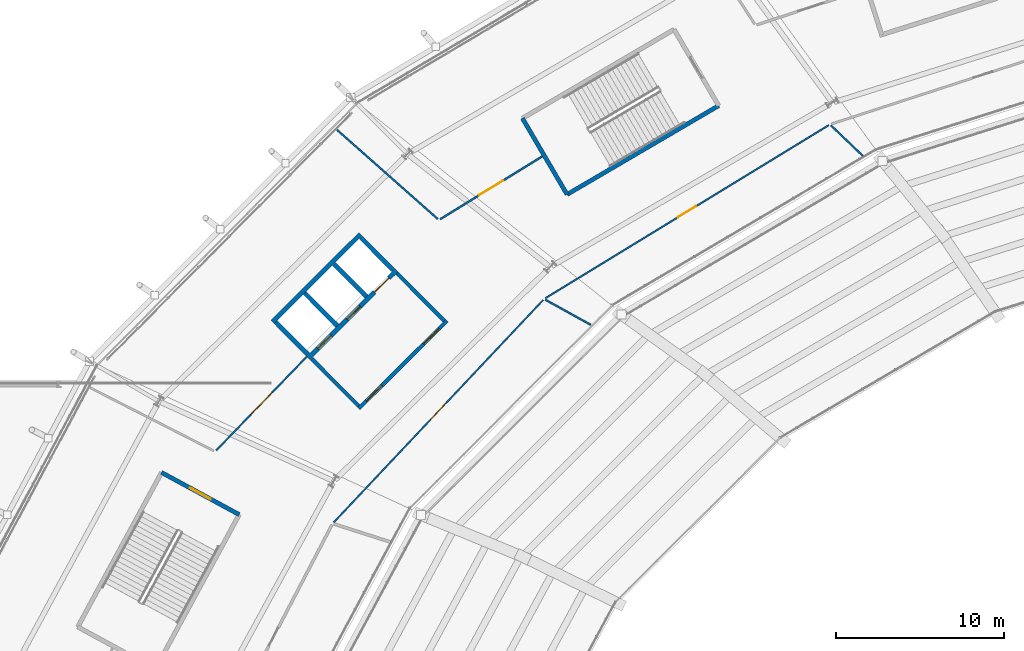
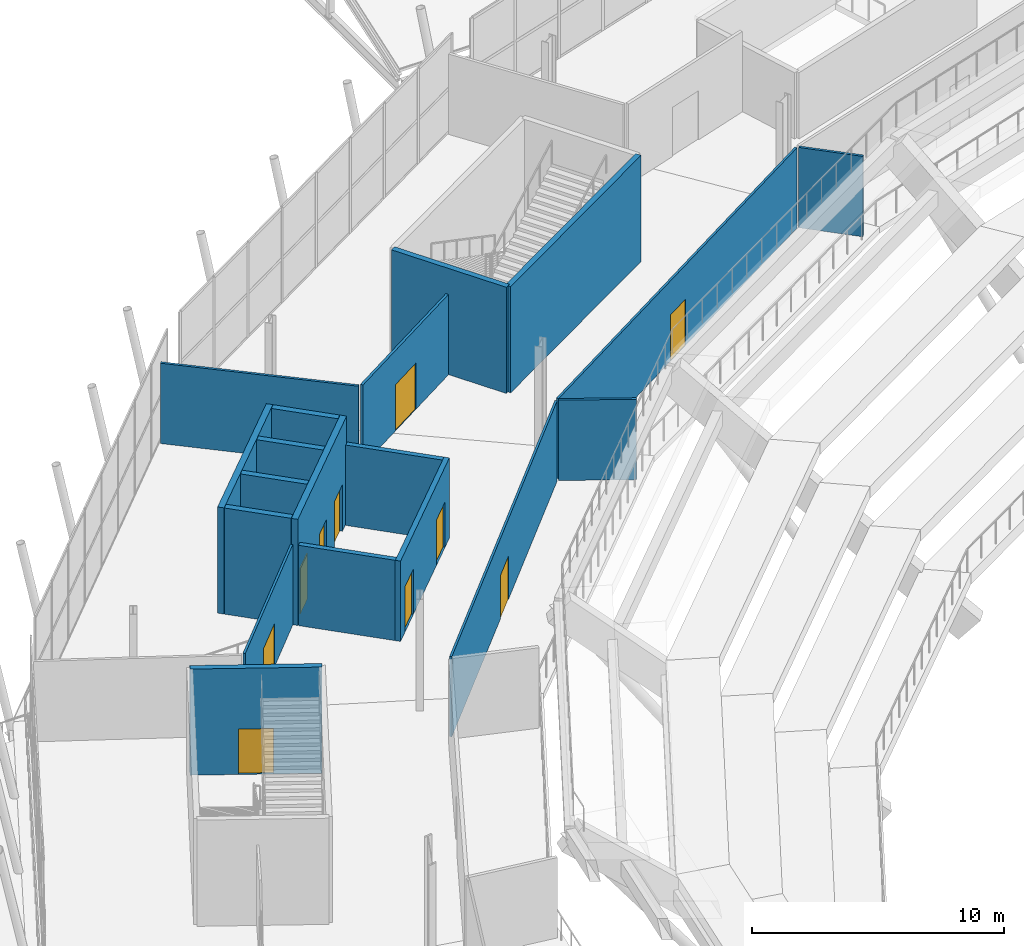
# One storey, part 98 of 126: 19 walls, 10 doors, 10 openings.
"""IFC4 building model written with IfcOpenShell, lengths in metres."""

from ifc_helpers import new_model, si_unit, direction, frame, frame_2d, origin, place, context, subcontext, project, spatial, rectangle, extrude, material, layer, layer_set, type_object, element, fill, save


model = new_model("IFC4")

# Units and contexts
model_context = context("Model", 3, precision=1e-05, world=origin(), true_north=direction((0.0, 1.0)))
body_context = subcontext(model_context, "Body", "Model", "MODEL_VIEW")
ifc_project = project(units=[si_unit("LENGTHUNIT", "METRE"), si_unit("AREAUNIT", "SQUARE_METRE"), si_unit("VOLUMEUNIT", "CUBIC_METRE"), si_unit("PLANEANGLEUNIT", "RADIAN"), si_unit("MASSUNIT", "GRAM", prefix="KILO")], contexts=[model_context])

# Site, building, storey
site_placement = place(None, origin())
site = spatial("IfcSite", under=ifc_project, at=site_placement, CompositionType="ELEMENT")
building_placement = place(site_placement, origin())
building = spatial("IfcBuilding", under=site, at=building_placement, Name="Zlatoyarsky Gate Stadium", CompositionType="ELEMENT")
storey_placement = place(building_placement, frame((0.0, 0.0, 20.800048828125)))
storey = spatial("IfcBuildingStorey", under=building, at=storey_placement, Name="L04", CompositionType="ELEMENT", Elevation=20.800048828125)

# Walls
ifc_material_1 = material(Name="Anodised aluminium acoustic operable wall", Category="aluminium")
ifc_layer_1 = layer(ifc_material_1, 0.114990234375)
ifc_layer_set_1 = layer_set([ifc_layer_1], Name="Anodised aluminium acoustic operable wall")
wall_type_1 = type_object("IfcWallType", Name="ACOUSTIC OPERABLE SUITE WALL 115", PredefinedType="MOVABLE", material=ifc_layer_set_1)
wall_1_placement = place(storey_placement, frame((56.140380859375, 120.048095703125, 0.0), z_axis=(0.0, 0.0, 1.0), x_axis=(-0.874909355374, 0.484286712474, 0.0)))
element("IfcWall", 1, at=wall_1_placement, inside=storey, type_object=wall_type_1, Name="L04 interior partition PRT-L04-IRD-09", PredefinedType="MOVABLE", context=body_context, shape_type="SweptSolid", body=[
    extrude(rectangle(XDim=3.0888671875, YDim=0.114990234375, at=frame_2d((1.54443359375, 0.0))), origin(), (0.0, 0.0, 1.0), 3.889892578125),
])
ifc_material_2 = material(Name="Concrete C40/50", Category="concrete")
ifc_layer_2 = layer(ifc_material_2, 0.27001953125)
ifc_layer_set_2 = layer_set([ifc_layer_2], Name="Concrete C40/50")
wall_type_2 = type_object("IfcWallType", Name="CONCRETE LIFT SHAFT SHEAR WALL 270", PredefinedType="SHEAR", material=ifc_layer_set_2)
wall_2_placement = place(storey_placement, frame((42.452880859375, 125.443603515625, 0.0), z_axis=(0.0, 0.0, 1.0), x_axis=(-0.708902567846, -0.705306422274, 0.0)))
element("IfcWall", 2, at=wall_2_placement, inside=storey, type_object=wall_type_2, Name="C2 L04 lift shaft rear wall", PredefinedType="SHEAR", context=body_context, shape_type="SweptSolid", body=[
    extrude(rectangle(XDim=7.39990234375, YDim=0.27001953125, at=frame_2d((3.699951171875, 0.0))), origin(), (0.0, 0.0, 1.0), 5.139892578125),
])
for number, where, z_axis, x_axis, name in (
    (3, (42.45947265625, 125.24560546875, 0.0), (0.0, 0.0, 1.0), (0.705322518225, -0.708886553183, 0.0), "C2 L04 lift shaft left wall"),
    (4, (37.405029296875, 120.216796875, 0.0), (0.0, 0.0, 1.0), (0.705322518225, -0.708886553183, 0.0), "C2 L04 lift shaft right wall"),
    (5, (40.87158203125, 123.665771484375, 0.0), (0.0, 0.0, 1.0), (0.705322518225, -0.708886553183, 0.0), "C2 L04 lift shaft divider 1"),
    (6, (39.134765625, 121.937744140625, 0.0), (0.0, 0.0, 1.0), (0.705322518225, -0.708886553183, 0.0), "C2 L04 lift shaft divider 2"),
):
    element("IfcWall", number, at=place(storey_placement, frame(where, z_axis=z_axis, x_axis=x_axis)), inside=storey, type_object=wall_type_2, Name=name, PredefinedType="SHEAR", context=body_context, shape_type="SweptSolid", body=[
        extrude(rectangle(XDim=2.739990234375, YDim=0.27001953125, at=frame_2d((1.3701171875, 0.0))), origin(), (0.0, 0.0, 1.0), 5.139892578125),
    ])

# Wall, openings, doors
wall_3_placement = place(storey_placement, frame((44.590087890625, 123.295654296875, 0.0), z_axis=(0.0, 0.0, 1.0), x_axis=(-0.708918979457, -0.705289926602, 0.0)))
wall_3 = element("IfcWall", 7, at=wall_3_placement, inside=storey, type_object=wall_type_2, Name="C2 L04 lift landing front wall", PredefinedType="SHEAR", context=body_context, shape_type="SweptSolid", body=[
    extrude(rectangle(XDim=7.400146484375, YDim=0.27001953125, at=frame_2d((3.7001953125, 0.0))), origin(), (0.0, 0.0, 1.0), 5.139892578125),
])
opening_1_placement = place(wall_3_placement, frame((0.64990234375, 0.0, 0.0)))
opening_1 = element("IfcOpeningElement", 8, at=opening_1_placement, cuts=wall_3, Name="Opening LD-FL-02-L04", PredefinedType="OPENING", context=body_context, shape_type="SweptSolid", body=[
    extrude(rectangle(XDim=1.199951171875, YDim=2.25, at=frame_2d((0.60009765625, 1.125))), frame((0.0, 0.14501953125, 0.0), z_axis=(0.0, -1.0, 0.0), x_axis=(1.0, 0.0, 0.0)), (0.0, 0.0, 1.0), 0.2900390625),
])
opening_2_placement = place(wall_3_placement, frame((3.050048828125, 0.0, 0.0)))
opening_2 = element("IfcOpeningElement", 9, at=opening_2_placement, cuts=wall_3, Name="Opening LD-LF-03-L04", PredefinedType="OPENING", context=body_context, shape_type="SweptSolid", body=[
    extrude(rectangle(XDim=1.10009765625, YDim=2.199951171875, at=frame_2d((0.550048828125, 1.10009765625))), frame((0.0, 0.14501953125, 0.0), z_axis=(0.0, -1.0, 0.0), x_axis=(1.0, 0.0, 0.0)), (0.0, 0.0, 1.0), 0.2900390625),
])
opening_3_placement = place(wall_3_placement, frame((5.5, 0.0, 0.0)))
opening_3 = element("IfcOpeningElement", 10, at=opening_3_placement, cuts=wall_3, Name="Opening LD-LF-04-L04", PredefinedType="OPENING", context=body_context, shape_type="SweptSolid", body=[
    extrude(rectangle(XDim=1.10009765625, YDim=2.199951171875, at=frame_2d((0.550048828125, 1.10009765625))), frame((0.0, 0.14501953125, 0.0), z_axis=(0.0, -1.0, 0.0), x_axis=(1.0, 0.0, 0.0)), (0.0, 0.0, 1.0), 0.2900390625),
])
ifc_material_3 = material(Name="Powder-coated steel fire door", Category="steel")
door_type_1 = type_object("IfcDoorType", Name="STAINLESS LIFT LANDING SLIDING DOOR 1100X2200", OperationType="DOUBLE_DOOR_SLIDING", PredefinedType="DOOR", material=ifc_material_3)
door_1_placement = place(opening_2_placement, origin())
door_1 = element("IfcDoor", 11, at=door_1_placement, inside=storey, type_object=door_type_1, Name="Lift LF-03 L04 sliding landing door", OperationType="DOUBLE_DOOR_SLIDING", OverallHeight=2.199951171875, OverallWidth=1.10009765625, PredefinedType="DOOR", context=body_context, shape_type="SweptSolid", body=[
    extrude(rectangle(XDim=1.10009765625, YDim=2.199951171875, at=frame_2d((0.550048828125, 1.10009765625))), frame((0.0, 0.02490234375, 0.0), z_axis=(0.0, -1.0, 0.0), x_axis=(1.0, 0.0, 0.0)), (0.0, 0.0, 1.0), 0.050048828125),
])
fill(opening_2, door_1)
door_2_placement = place(opening_3_placement, origin())
door_2 = element("IfcDoor", 12, at=door_2_placement, inside=storey, type_object=door_type_1, Name="Lift LF-04 L04 sliding landing door", OperationType="DOUBLE_DOOR_SLIDING", OverallHeight=2.199951171875, OverallWidth=1.10009765625, PredefinedType="DOOR", context=body_context, shape_type="SweptSolid", body=[
    extrude(rectangle(XDim=1.10009765625, YDim=2.199951171875, at=frame_2d((0.550048828125, 1.10009765625))), frame((0.0, 0.02490234375, 0.0), z_axis=(0.0, -1.0, 0.0), x_axis=(1.0, 0.0, 0.0)), (0.0, 0.0, 1.0), 0.050048828125),
])
fill(opening_3, door_2)
door_type_2 = type_object("IfcDoorType", Name="STAINLESS LIFT LANDING SLIDING DOOR 1200X2250", OperationType="DOUBLE_DOOR_SLIDING", PredefinedType="DOOR", material=ifc_material_3)
door_3_placement = place(opening_1_placement, origin())
door_3 = element("IfcDoor", 13, at=door_3_placement, inside=storey, type_object=door_type_2, Name="Lift FL-02 L04 sliding landing door", OperationType="DOUBLE_DOOR_SLIDING", OverallHeight=2.25, OverallWidth=1.199951171875, PredefinedType="DOOR", context=body_context, shape_type="SweptSolid", body=[
    extrude(rectangle(XDim=1.199951171875, YDim=2.25, at=frame_2d((0.60009765625, 1.125))), frame((0.0, 0.02490234375, 0.0), z_axis=(0.0, -1.0, 0.0), x_axis=(1.0, 0.0, 0.0)), (0.0, 0.0, 1.0), 0.050048828125),
])
fill(opening_1, door_3)

# Walls
ifc_layer_3 = layer(ifc_material_2, 0.25)
ifc_layer_set_3 = layer_set([ifc_layer_3], Name="Concrete C40/50")
wall_type_3 = type_object("IfcWallType", Name="CONCRETE STAIR CORE SHEAR WALL 250", PredefinedType="SHEAR", material=ifc_layer_set_3)
wall_4_placement = place(storey_placement, frame((52.076171875, 132.331787109375, 0.0), z_axis=(0.0, 0.0, 1.0), x_axis=(0.505474830399, -0.862841350327, 0.0)))
element("IfcWall", 14, at=wall_4_placement, inside=storey, type_object=wall_type_3, Name="ST-05 L04 stair core far shear wall", PredefinedType="SHEAR", context=body_context, shape_type="SweptSolid", body=[
    extrude(rectangle(XDim=5.250244140625, YDim=0.25, at=frame_2d((2.625, 0.0))), origin(), (0.0, 0.0, 1.0), 5.139892578125),
])
wall_5_placement = place(storey_placement, frame((54.72998046875, 127.8017578125, 0.0), z_axis=(0.0, 0.0, 1.0), x_axis=(0.862838527648, 0.505479648657, 0.0)))
element("IfcWall", 15, at=wall_5_placement, inside=storey, type_object=wall_type_3, Name="ST-05 L04 stair core right shear wall", PredefinedType="SHEAR", context=body_context, shape_type="SweptSolid", body=[
    extrude(rectangle(XDim=10.449951171875, YDim=0.25, at=frame_2d((5.22509765625, 0.0))), origin(), (0.0, 0.0, 1.0), 5.139892578125),
])

# Wall, opening, door
wall_6_placement = place(storey_placement, frame((35.229736328125, 108.764892578125, 0.0), z_axis=(0.0, 0.0, 1.0), x_axis=(-0.878941993928, 0.476928685769, 0.0)))
wall_6 = element("IfcWall", 16, at=wall_6_placement, inside=storey, type_object=wall_type_3, Name="ST-06 L04 stair core entrance shear wall", PredefinedType="SHEAR", context=body_context, shape_type="SweptSolid", body=[
    extrude(rectangle(XDim=5.25, YDim=0.25, at=frame_2d((2.625, 0.0))), origin(), (0.0, 0.0, 1.0), 5.139892578125),
])
opening_4_placement = place(wall_6_placement, frame((1.925048828125, 0.0, 0.0)))
opening_4 = element("IfcOpeningElement", 17, at=opening_4_placement, cuts=wall_6, Name="Opening SD-ST-06-L04", PredefinedType="OPENING", context=body_context, shape_type="SweptSolid", body=[
    extrude(rectangle(XDim=1.39990234375, YDim=2.199951171875, at=frame_2d((0.699951171875, 1.10009765625))), frame((0.0, 0.135009765625, 0.0), z_axis=(0.0, -1.0, 0.0), x_axis=(1.0, 0.0, 0.0)), (0.0, 0.0, 1.0), 0.27001953125),
])
door_type_3 = type_object("IfcDoorType", Name="STAIR CORE FIRE EXIT DOOR 1400X2200", OperationType="NOTDEFINED", PredefinedType="DOOR", material=ifc_material_3)
door_4_placement = place(opening_4_placement, frame((1.39990234375, 0.0, 0.0), z_axis=(0.0, 0.0, 1.0), x_axis=(-1.0, 0.0, 0.0)))
door_4 = element("IfcDoor", 18, at=door_4_placement, inside=storey, type_object=door_type_3, Name="ST-06 L04 stair fire door", OperationType="SINGLE_SWING_LEFT", OverallHeight=2.199951171875, OverallWidth=1.39990234375, PredefinedType="DOOR", context=body_context, shape_type="SweptSolid", body=[
    extrude(rectangle(XDim=1.39990234375, YDim=2.199951171875, at=frame_2d((0.699951171875, 1.10009765625))), frame((0.0, 0.02490234375, 0.0), z_axis=(0.0, -1.0, 0.0), x_axis=(1.0, 0.0, 0.0)), (0.0, 0.0, 1.0), 0.050048828125),
])
fill(opening_4, door_4)

# Walls
ifc_material_4 = material(Name="Autoclaved aerated concrete masonry EI 120", Category="masonry")
ifc_layer_4 = layer(ifc_material_4, 0.219970703125)
ifc_layer_set_4 = layer_set([ifc_layer_4], Name="Autoclaved aerated concrete masonry EI 120")
wall_type_4 = type_object("IfcWallType", Name="FIREFIGHTING LOBBY RATED WALL 220", PredefinedType="PARTITIONING", material=ifc_layer_set_4)
for number, where, z_axis, x_axis, name in (
    (19, (44.621337890625, 123.1083984375, 0.0), (0.0, 0.0, 1.0), (0.705294916294, -0.708914015273, 0.0), "C2 L04 firefighting lobby left wall"),
    (20, (39.531494140625, 118.044189453125, 0.0), (0.0, 0.0, 1.0), (0.705294916294, -0.708914015273, 0.0), "C2 L04 firefighting lobby right wall"),
):
    element("IfcWall", number, at=place(storey_placement, frame(where, z_axis=z_axis, x_axis=x_axis)), inside=storey, type_object=wall_type_4, Name=name, PredefinedType="PARTITIONING", context=body_context, shape_type="SweptSolid", body=[
        extrude(rectangle(XDim=3.97998046875, YDim=0.219970703125, at=frame_2d((1.989990234375, 0.0))), origin(), (0.0, 0.0, 1.0), 3.889892578125),
    ])

# Wall, openings, doors
wall_7_placement = place(storey_placement, frame((47.583984375, 120.286376953125, 0.0), z_axis=(0.0, 0.0, 1.0), x_axis=(-0.708902567846, -0.705306422274, 0.0)))
wall_7 = element("IfcWall", 21, at=wall_7_placement, inside=storey, type_object=wall_type_4, Name="C2 L04 firefighting lobby front wall", PredefinedType="PARTITIONING", context=body_context, shape_type="SweptSolid", body=[
    extrude(rectangle(XDim=7.39990234375, YDim=0.219970703125, at=frame_2d((3.699951171875, 0.0))), origin(), (0.0, 0.0, 1.0), 3.889892578125),
])
opening_5_placement = place(wall_7_placement, frame((0.64990234375, 0.0, 0.0)))
opening_5 = element("IfcOpeningElement", 22, at=opening_5_placement, cuts=wall_7, Name="Opening FD-C2-L04-A", PredefinedType="OPENING", context=body_context, shape_type="SweptSolid", body=[
    extrude(rectangle(XDim=1.300048828125, YDim=2.199951171875, at=frame_2d((0.64990234375, 1.10009765625))), frame((0.0, 0.119873046875, 0.0), z_axis=(0.0, -1.0, 0.0), x_axis=(1.0, 0.0, 0.0)), (0.0, 0.0, 1.0), 0.239990234375),
])
opening_6_placement = place(wall_7_placement, frame((5.449951171875, 0.0, 0.0)))
opening_6 = element("IfcOpeningElement", 23, at=opening_6_placement, cuts=wall_7, Name="Opening FD-C2-L04-B", PredefinedType="OPENING", context=body_context, shape_type="SweptSolid", body=[
    extrude(rectangle(XDim=1.300048828125, YDim=2.199951171875, at=frame_2d((0.64990234375, 1.10009765625))), frame((0.0, 0.119873046875, 0.0), z_axis=(0.0, -1.0, 0.0), x_axis=(1.0, 0.0, 0.0)), (0.0, 0.0, 1.0), 0.239990234375),
])
door_type_4 = type_object("IfcDoorType", Name="FIREFIGHTING LOBBY FIRE DOOR 1300X2200", OperationType="NOTDEFINED", PredefinedType="DOOR", material=ifc_material_3)
door_5_placement = place(opening_5_placement, origin())
door_5 = element("IfcDoor", 24, at=door_5_placement, inside=storey, type_object=door_type_4, Name="C2 L04 firefighting lobby fire door FD-C2-L04-A", OperationType="SINGLE_SWING_LEFT", OverallHeight=2.199951171875, OverallWidth=1.300048828125, PredefinedType="DOOR", context=body_context, shape_type="SweptSolid", body=[
    extrude(rectangle(XDim=1.300048828125, YDim=2.199951171875, at=frame_2d((0.64990234375, 1.10009765625))), frame((0.0, 0.02490234375, 0.0), z_axis=(0.0, -1.0, 0.0), x_axis=(1.0, 0.0, 0.0)), (0.0, 0.0, 1.0), 0.050048828125),
])
fill(opening_5, door_5)
door_6_placement = place(opening_6_placement, origin())
door_6 = element("IfcDoor", 25, at=door_6_placement, inside=storey, type_object=door_type_4, Name="C2 L04 firefighting lobby fire door FD-C2-L04-B", OperationType="SINGLE_SWING_RIGHT", OverallHeight=2.199951171875, OverallWidth=1.300048828125, PredefinedType="DOOR", context=body_context, shape_type="SweptSolid", body=[
    extrude(rectangle(XDim=1.300048828125, YDim=2.199951171875, at=frame_2d((0.64990234375, 1.10009765625))), frame((0.0, 0.02490234375, 0.0), z_axis=(0.0, -1.0, 0.0), x_axis=(1.0, 0.0, 0.0)), (0.0, 0.0, 1.0), 0.050048828125),
])
fill(opening_6, door_6)

# Wall, opening, door
ifc_material_5 = material(Name="Timber-veneered acoustic operable partition", Category="wood")
ifc_layer_5 = layer(ifc_material_5, 0.094970703125)
ifc_layer_set_5 = layer_set([ifc_layer_5], Name="Timber-veneered acoustic operable partition")
wall_type_5 = type_object("IfcWallType", Name="FOLDING BANQUET SALON WALL 95", PredefinedType="MOVABLE", material=ifc_layer_set_5)
wall_8_placement = place(storey_placement, frame((53.305419921875, 121.523193359375, 0.0), z_axis=(0.0, 0.0, 1.0), x_axis=(-0.685575456207, -0.728001575442, 0.0)))
wall_8 = element("IfcWall", 26, at=wall_8_placement, inside=storey, type_object=wall_type_5, Name="L04 interior partition PRT-L04-ICC-09", PredefinedType="MOVABLE", context=body_context, shape_type="SweptSolid", body=[
    extrude(rectangle(XDim=18.172607421875, YDim=0.094970703125, at=frame_2d((9.08642578125, 0.0))), origin(), (0.0, 0.0, 1.0), 3.889892578125),
])
opening_7_placement = place(wall_8_placement, frame((8.416259765625, 0.0, 0.0)))
opening_7 = element("IfcOpeningElement", 27, at=opening_7_placement, cuts=wall_8, Name="Opening D-L04-519", PredefinedType="OPENING", context=body_context, shape_type="SweptSolid", body=[
    extrude(rectangle(XDim=1.340087890625, YDim=2.10009765625, at=frame_2d((0.669921875, 1.050048828125))), frame((0.0, 0.057373046875, 0.0), z_axis=(0.0, -1.0, 0.0), x_axis=(1.0, 0.0, 0.0)), (0.0, 0.0, 1.0), 0.114990234375),
])
ifc_material_6 = material(Name="Solid-core oak veneer acoustic door", Category="wood")
door_type_5 = type_object("IfcDoorType", Name="ACOUSTIC INTERIOR DOOR 1340X2100", OperationType="NOTDEFINED", PredefinedType="DOOR", material=ifc_material_6)
door_7_placement = place(opening_7_placement, origin())
door_7 = element("IfcDoor", 28, at=door_7_placement, inside=storey, type_object=door_type_5, Name="L04 room door D-L04-519", OperationType="SINGLE_SWING_RIGHT", OverallHeight=2.10009765625, OverallWidth=1.340087890625, PredefinedType="DOOR", context=body_context, shape_type="SweptSolid", body=[
    extrude(rectangle(XDim=1.340087890625, YDim=2.10009765625, at=frame_2d((0.669921875, 1.050048828125))), frame((0.0, 0.02490234375, 0.0), z_axis=(0.0, -1.0, 0.0), x_axis=(1.0, 0.0, 0.0)), (0.0, 0.0, 1.0), 0.050048828125),
])
fill(opening_7, door_7)

# Walls
ifc_material_7 = material(Name="Metal-stud gypsum partition", Category="gypsum")
ifc_layer_6 = layer(ifc_material_7, 0.110107421875)
ifc_layer_set_6 = layer_set([ifc_layer_6], Name="Metal-stud gypsum partition")
wall_type_6 = type_object("IfcWallType", Name="KIOSK SERVICE PARTITION 110", PredefinedType="PARTITIONING", material=ifc_layer_set_6)
wall_9_placement = place(storey_placement, frame((72.316650390625, 130.098876953125, 0.0), z_axis=(0.0, 0.0, 1.0), x_axis=(-0.722335778713, 0.69154249529, 0.0)))
element("IfcWall", 29, at=wall_9_placement, inside=storey, type_object=wall_type_6, Name="L04 interior partition PRT-L04-IRD-08", PredefinedType="PARTITIONING", context=body_context, shape_type="SweptSolid", body=[
    extrude(rectangle(XDim=2.616455078125, YDim=0.110107421875, at=frame_2d((1.30810546875, 0.0))), origin(), (0.0, 0.0, 1.0), 3.889892578125),
])
wall_10_placement = place(storey_placement, frame((47.044921875, 126.3408203125, 0.0), z_axis=(0.0, 0.0, 1.0), x_axis=(-0.749050142593, 0.662513308456, 0.0)))
element("IfcWall", 30, at=wall_10_placement, inside=storey, type_object=wall_type_6, Name="L04 interior partition PRT-L04-ORD-08R", PredefinedType="PARTITIONING", context=body_context, shape_type="SweptSolid", body=[
    extrude(rectangle(XDim=8.0009765625, YDim=0.110107421875, at=frame_2d((4.00048828125, 0.0))), origin(), (0.0, 0.0, 1.0), 3.889892578125),
])

# Wall, opening, door
ifc_layer_7 = layer(ifc_material_7, 0.10009765625)
ifc_layer_set_7 = layer_set([ifc_layer_7], Name="Metal-stud gypsum partition")
wall_type_7 = type_object("IfcWallType", Name="LIGHT STORAGE PARTITION 100", PredefinedType="PARTITIONING", material=ifc_layer_set_7)
wall_11_placement = place(storey_placement, frame((70.292724609375, 131.9228515625, 0.0), z_axis=(0.0, 0.0, 1.0), x_axis=(-0.853458698262, -0.521160484266, 0.0)))
wall_11 = element("IfcWall", 31, at=wall_11_placement, inside=storey, type_object=wall_type_7, Name="L04 vomitory portal wall PRT-L04-ICC-08", PredefinedType="PARTITIONING", context=body_context, shape_type="SweptSolid", body=[
    extrude(rectangle(XDim=19.7509765625, YDim=0.10009765625, at=frame_2d((9.87548828125, 0.0))), origin(), (0.0, 0.0, 1.0), 3.889892578125),
])
opening_8_placement = place(wall_11_placement, frame((9.255615234375, 0.0, 0.0)))
opening_8 = element("IfcOpeningElement", 32, at=opening_8_placement, cuts=wall_11, Name="Opening D-L04-517", PredefinedType="OPENING", context=body_context, shape_type="SweptSolid", body=[
    extrude(rectangle(XDim=1.239990234375, YDim=2.239990234375, at=frame_2d((0.6201171875, 1.1201171875))), frame((0.0, 0.06005859375, 0.0), z_axis=(0.0, -1.0, 0.0), x_axis=(1.0, 0.0, 0.0)), (0.0, 0.0, 1.0), 0.1201171875),
])
door_type_6 = type_object("IfcDoorType", Name="ACOUSTIC INTERIOR DOOR 1240X2240", OperationType="NOTDEFINED", PredefinedType="DOOR", material=ifc_material_6)
door_8_placement = place(opening_8_placement, origin())
door_8 = element("IfcDoor", 33, at=door_8_placement, inside=storey, type_object=door_type_6, Name="L04 vomitory portal door D-L04-517", OperationType="SINGLE_SWING_LEFT", OverallHeight=2.239990234375, OverallWidth=1.239990234375, PredefinedType="DOOR", context=body_context, shape_type="SweptSolid", body=[
    extrude(rectangle(XDim=1.239990234375, YDim=2.239990234375, at=frame_2d((0.6201171875, 1.1201171875))), frame((0.0, 0.02490234375, 0.0), z_axis=(0.0, -1.0, 0.0), x_axis=(1.0, 0.0, 0.0)), (0.0, 0.0, 1.0), 0.050048828125),
])
fill(opening_8, door_8)

wall_12_placement = place(storey_placement, frame((39.2548828125, 118.158935546875, 0.0), z_axis=(0.0, 0.0, 1.0), x_axis=(-0.694963588854, -0.719044929172, 0.0)))
wall_12 = element("IfcWall", 34, at=wall_12_placement, inside=storey, type_object=wall_type_7, Name="L04 interior partition PRT-L04-OCC-09-1", PredefinedType="PARTITIONING", context=body_context, shape_type="SweptSolid", body=[
    extrude(rectangle(XDim=7.765869140625, YDim=0.10009765625, at=frame_2d((3.8828125, 0.0))), origin(), (0.0, 0.0, 1.0), 3.889892578125),
])
opening_9_placement = place(wall_12_placement, frame((2.972900390625, 0.0, 0.0)))
opening_9 = element("IfcOpeningElement", 35, at=opening_9_placement, cuts=wall_12, Name="Opening D-L04-577", PredefinedType="OPENING", context=body_context, shape_type="SweptSolid", body=[
    extrude(rectangle(XDim=1.820068359375, YDim=2.10009765625, at=frame_2d((0.91015625, 1.050048828125))), frame((0.0, 0.06005859375, 0.0), z_axis=(0.0, -1.0, 0.0), x_axis=(1.0, 0.0, 0.0)), (0.0, 0.0, 1.0), 0.1201171875),
])
door_type_7 = type_object("IfcDoorType", Name="ACOUSTIC INTERIOR DOOR 1820X2100", OperationType="NOTDEFINED", PredefinedType="DOOR", material=ifc_material_6)
door_9_placement = place(opening_9_placement, origin())
door_9 = element("IfcDoor", 36, at=door_9_placement, inside=storey, type_object=door_type_7, Name="L04 room door D-L04-577", OperationType="SINGLE_SWING_RIGHT", OverallHeight=2.10009765625, OverallWidth=1.820068359375, PredefinedType="DOOR", context=body_context, shape_type="SweptSolid", body=[
    extrude(rectangle(XDim=1.820068359375, YDim=2.10009765625, at=frame_2d((0.91015625, 1.050048828125))), frame((0.0, 0.02490234375, 0.0), z_axis=(0.0, -1.0, 0.0), x_axis=(1.0, 0.0, 0.0)), (0.0, 0.0, 1.0), 0.050048828125),
])
fill(opening_9, door_9)

ifc_layer_8 = layer(ifc_material_7, 0.1201171875)
ifc_layer_set_8 = layer_set([ifc_layer_8], Name="Metal-stud gypsum partition")
wall_type_8 = type_object("IfcWallType", Name="OFFICE AND PRESS PARTITION 120", PredefinedType="PARTITIONING", material=ifc_layer_set_8)
wall_13_placement = place(storey_placement, frame((53.25390625, 130.064453125, 0.0), z_axis=(0.0, 0.0, 1.0), x_axis=(-0.851775865218, -0.52390636132, 0.0)))
wall_13 = element("IfcWall", 37, at=wall_13_placement, inside=storey, type_object=wall_type_8, Name="L04 interior partition PRT-L04-OCC-08-1", PredefinedType="PARTITIONING", context=body_context, shape_type="SweptSolid", body=[
    extrude(rectangle(XDim=7.1298828125, YDim=0.1201171875, at=frame_2d((3.56494140625, 0.0))), origin(), (0.0, 0.0, 1.0), 3.889892578125),
])
opening_10_placement = place(wall_13_placement, frame((2.724853515625, 0.0, 0.0)))
opening_10 = element("IfcOpeningElement", 38, at=opening_10_placement, cuts=wall_13, Name="Opening D-L04-575", PredefinedType="OPENING", context=body_context, shape_type="SweptSolid", body=[
    extrude(rectangle(XDim=1.679931640625, YDim=2.239990234375, at=frame_2d((0.83984375, 1.1201171875))), frame((0.0, 0.070068359375, 0.0), z_axis=(0.0, -1.0, 0.0), x_axis=(1.0, 0.0, 0.0)), (0.0, 0.0, 1.0), 0.14013671875),
])
door_type_8 = type_object("IfcDoorType", Name="ACOUSTIC INTERIOR DOOR 1680X2240", OperationType="NOTDEFINED", PredefinedType="DOOR", material=ifc_material_6)
door_10_placement = place(opening_10_placement, origin())
door_10 = element("IfcDoor", 39, at=door_10_placement, inside=storey, type_object=door_type_8, Name="L04 room door D-L04-575", OperationType="SINGLE_SWING_LEFT", OverallHeight=2.239990234375, OverallWidth=1.679931640625, PredefinedType="DOOR", context=body_context, shape_type="SweptSolid", body=[
    extrude(rectangle(XDim=1.679931640625, YDim=2.239990234375, at=frame_2d((0.83984375, 1.1201171875))), frame((0.0, 0.02490234375, 0.0), z_axis=(0.0, -1.0, 0.0), x_axis=(1.0, 0.0, 0.0)), (0.0, 0.0, 1.0), 0.050048828125),
])
fill(opening_10, door_10)

save(model, "model.ifc")
